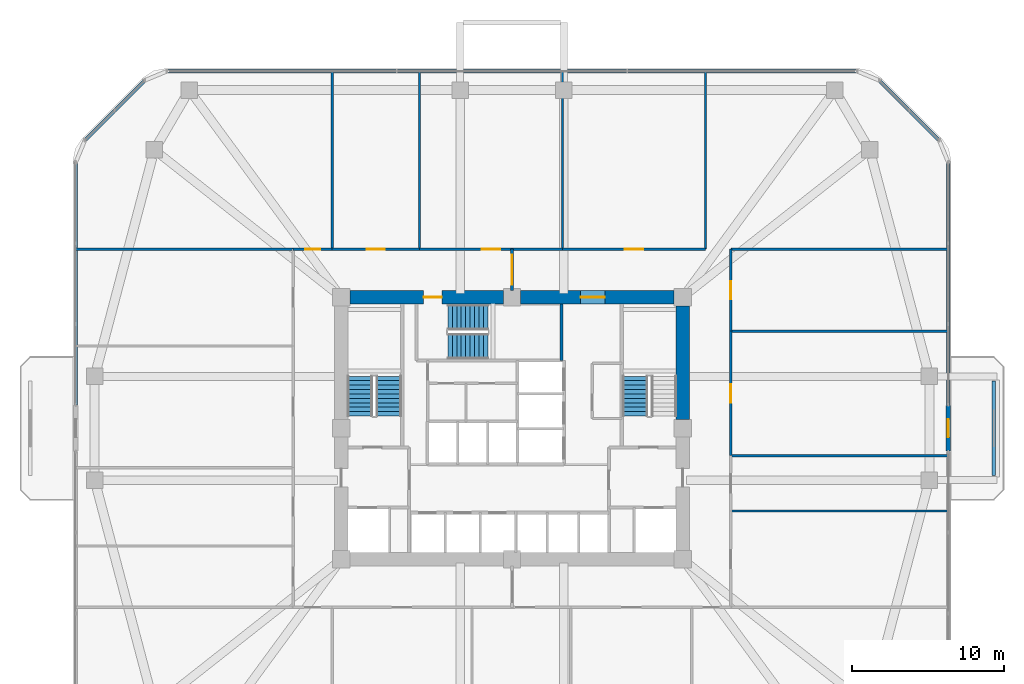
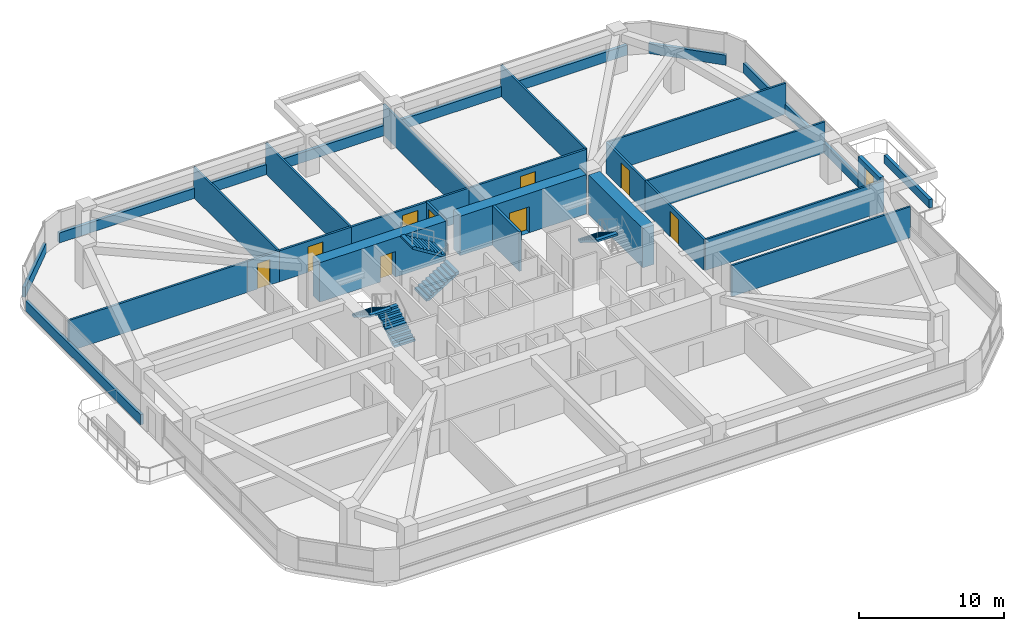
# One storey, part 12 of 15: 27 walls, 10 doors, 5 stair flights, 10 openings, 3 elements without a shape of their own.
"""IFC4 building model written with IfcOpenShell, lengths in metres."""

from ifc_helpers import new_model, si_unit, derived_unit, direction, frame, frame_2d, origin, place, context, subcontext, project, spatial, polyline, rectangle, outline, extrude, material, layer, layer_set, type_object, element, fill, aggregate, save


model = new_model("IFC4")

# Units and contexts
model_context = context("Model", 3, precision=1e-05, world=origin(), true_north=direction((0.0, 1.0)))
body_context = subcontext(model_context, "Body", "Model", "MODEL_VIEW")
ifc_project = project(units=[si_unit("LENGTHUNIT", "METRE"), si_unit("AREAUNIT", "SQUARE_METRE"), si_unit("VOLUMEUNIT", "CUBIC_METRE"), si_unit("PLANEANGLEUNIT", "RADIAN"), si_unit("MASSUNIT", "GRAM", prefix="KILO"), derived_unit("THERMALTRANSMITTANCEUNIT", [(si_unit("POWERUNIT", "WATT"), 1), (si_unit("LENGTHUNIT", "METRE"), -2), (si_unit("THERMODYNAMICTEMPERATUREUNIT", "KELVIN"), -1)])], contexts=[model_context])

# Site, building, storey
site_placement = place(None, origin())
site = spatial("IfcSite", under=ifc_project, at=site_placement, CompositionType="ELEMENT")
building_placement = place(site_placement, origin())
building = spatial("IfcBuilding", under=site, at=building_placement, Name="Koralith Skygarden Medical Center", CompositionType="ELEMENT")
storey_placement = place(building_placement, frame((0.0, 0.0, 56.340087890625)))
storey = spatial("IfcBuildingStorey", under=building, at=storey_placement, Name="L14", CompositionType="ELEMENT", Elevation=56.340087890625)

# Walls
ifc_material_1 = material(Name="Gypsum Board Partition")
ifc_layer_1 = layer(ifc_material_1, 0.14990234375)
ifc_layer_set_1 = layer_set([ifc_layer_1], Name="Gypsum Board Partition")
wall_type_1 = type_object("IfcWallType", Name="Clinical Acoustic Partition 150", PredefinedType="PARTITIONING", material=ifc_layer_set_1)
for number, where, z_axis, x_axis, name in (
    (1, (25.199951171875, 37.64990234375, 0.0), (0.0, 0.0, 1.0), (0.0, 1.0, 0.0), "L14 Clinical Acoustic Partition 150 W-PART-L14-N-01"),
    (2, (30.931884765625, 37.64990234375, 0.0), (0.0, 0.0, 1.0), (0.0, 1.0, 0.0), "L14 Clinical Acoustic Partition 150 W-PART-L14-N-02"),
    (3, (40.31005859375, 37.64990234375, 0.0), (0.0, 0.0, 1.0), (0.0, 1.0, 0.0), "L14 Clinical Acoustic Partition 150 W-PART-L14-N-03"),
    (4, (49.68701171875, 37.64990234375, 0.0), (0.0, 0.0, 1.0), (0.0, 1.0, 0.0), "L14 Clinical Acoustic Partition 150 W-PART-L14-N-04"),
):
    element("IfcWall", number, at=place(storey_placement, frame(where, z_axis=z_axis, x_axis=x_axis)), inside=storey, type_object=wall_type_1, Name=name, PredefinedType="PARTITIONING", context=body_context, shape_type="SweptSolid", body=[
        extrude(rectangle(XDim=11.650146484375, YDim=0.14990234375, at=frame_2d((5.8251953125, 0.0))), origin(), (0.0, 0.0, 1.0), 2.60986328125),
    ])
for number, where, z_axis, x_axis, name in (
    (5, (51.35009765625, 20.467041015625, 0.0), (0.0, 0.0, 1.0), (1.0, 0.0, 0.0), "L14 Clinical Acoustic Partition 150 W-PART-L14-E-01"),
    (6, (51.35009765625, 24.10009765625, 0.0), (0.0, 0.0, 1.0), (1.0, 0.0, 0.0), "L14 Clinical Acoustic Partition 150 W-PART-L14-E-02"),
    (7, (51.35009765625, 32.27294921875, 0.0), (0.0, 0.0, 1.0), (1.0, 0.0, 0.0), "L14 Clinical Acoustic Partition 150 W-PART-L14-E-03"),
):
    element("IfcWall", number, at=place(storey_placement, frame(where, z_axis=z_axis, x_axis=x_axis)), inside=storey, type_object=wall_type_1, Name=name, PredefinedType="PARTITIONING", context=body_context, shape_type="SweptSolid", body=[
        extrude(rectangle(XDim=14.25, YDim=0.14990234375, at=frame_2d((7.125, 0.0))), origin(), (0.0, 0.0, 1.0), 2.60986328125),
    ])
ifc_layer_2 = layer(ifc_material_1, 0.1650390625)
ifc_layer_set_2 = layer_set([ifc_layer_2], Name="Gypsum Board Partition")
wall_type_2 = type_object("IfcWallType", Name="Clinical Corridor Partition 165", PredefinedType="PARTITIONING", material=ifc_layer_set_2)
for number, where, z_axis, x_axis, name in (
    (8, (8.39990234375, 37.64990234375, 0.0), (0.0, 0.0, 1.0), (1.0, 0.0, 0.0), "L14 Clinical Corridor Partition 165 W-WB-L14-NW"),
    (9, (51.35009765625, 37.64990234375, 0.0), (0.0, 0.0, 1.0), (1.0, 0.0, 0.0), "L14 Clinical Corridor Partition 165 W-WB-L14-NE"),
):
    element("IfcWall", number, at=place(storey_placement, frame(where, z_axis=z_axis, x_axis=x_axis)), inside=storey, type_object=wall_type_2, Name=name, PredefinedType="PARTITIONING", context=body_context, shape_type="SweptSolid", body=[
        extrude(rectangle(XDim=14.25, YDim=0.1650390625, at=frame_2d((7.125, 0.0))), origin(), (0.0, 0.0, 1.0), 2.60986328125),
    ])

# Wall, opening, door
wall_1_placement = place(storey_placement, frame((22.64990234375, 37.64990234375, 0.0), z_axis=(0.0, 0.0, 1.0), x_axis=(1.0, 0.0, 0.0)))
wall_1 = element("IfcWall", 10, at=wall_1_placement, inside=storey, type_object=wall_type_2, Name="L14 Clinical Corridor Partition 165 W-CORR-L14-N-01", PredefinedType="PARTITIONING", context=body_context, shape_type="SweptSolid", body=[
    extrude(rectangle(XDim=2.550048828125, YDim=0.1650390625, at=frame_2d((1.27490234375, 0.0))), origin(), (0.0, 0.0, 1.0), 2.60986328125),
])
opening_1_placement = place(wall_1_placement, frame((0.77490234375, 0.0, 0.0)))
opening_1 = element("IfcOpeningElement", 11, at=opening_1_placement, cuts=wall_1, Name="Opening D-SUP", PredefinedType="OPENING", context=body_context, shape_type="SweptSolid", body=[
    extrude(rectangle(XDim=1.0, YDim=2.14990234375, at=frame_2d((0.5, 1.074951171875))), frame((0.0, 0.092529296875, 0.0), z_axis=(0.0, -1.0, 0.0), x_axis=(1.0, 0.0, 0.0)), (0.0, 0.0, 1.0), 0.18505859375),
])
ifc_material_2 = material(Name="Aluminium 6063-T6", Category="aluminium")
door_type_1 = type_object("IfcDoorType", Name="Clinical Support Door D-SUP 1000", OperationType="NOTDEFINED", PredefinedType="DOOR", material=ifc_material_2)
door_1_placement = place(opening_1_placement, origin())
door_1 = element("IfcDoor", 12, at=door_1_placement, inside=storey, type_object=door_type_1, Name="L14 Multidisciplinary Clinical Conference Room 01 Door", OperationType="SINGLE_SWING_RIGHT", OverallHeight=2.14990234375, OverallWidth=1.0, PredefinedType="DOOR", context=body_context, shape_type="SweptSolid", body=[
    extrude(rectangle(XDim=1.0, YDim=2.14990234375, at=frame_2d((0.5, 1.074951171875))), frame((0.0, 0.02490234375, 0.0), z_axis=(0.0, -1.0, 0.0), x_axis=(1.0, 0.0, 0.0)), (0.0, 0.0, 1.0), 0.050048828125),
])
fill(opening_1, door_1)

wall_2_placement = place(storey_placement, frame((25.199951171875, 37.64990234375, 0.0), z_axis=(0.0, 0.0, 1.0), x_axis=(1.0, 0.0, 0.0)))
wall_2 = element("IfcWall", 13, at=wall_2_placement, inside=storey, type_object=wall_type_2, Name="L14 Clinical Corridor Partition 165 W-CORR-L14-N-02", PredefinedType="PARTITIONING", context=body_context, shape_type="SweptSolid", body=[
    extrude(rectangle(XDim=5.73193359375, YDim=0.1650390625, at=frame_2d((2.865966796875, 0.0))), origin(), (0.0, 0.0, 1.0), 2.60986328125),
])
opening_2_placement = place(wall_2_placement, frame((2.26611328125, 0.0, 0.0)))
opening_2 = element("IfcOpeningElement", 14, at=opening_2_placement, cuts=wall_2, Name="Opening D-CLN", PredefinedType="OPENING", context=body_context, shape_type="SweptSolid", body=[
    extrude(rectangle(XDim=1.199951171875, YDim=2.14990234375, at=frame_2d((0.60009765625, 1.074951171875))), frame((0.0, 0.092529296875, 0.0), z_axis=(0.0, -1.0, 0.0), x_axis=(1.0, 0.0, 0.0)), (0.0, 0.0, 1.0), 0.18505859375),
])
door_type_2 = type_object("IfcDoorType", Name="Clinical Corridor Door D-CLN 1200", OperationType="NOTDEFINED", PredefinedType="DOOR", material=ifc_material_2)
door_2_placement = place(opening_2_placement, origin())
door_2 = element("IfcDoor", 15, at=door_2_placement, inside=storey, type_object=door_type_2, Name="L14 Phlebotomy Blood Draw Room 02 Door", OperationType="SINGLE_SWING_LEFT", OverallHeight=2.14990234375, OverallWidth=1.199951171875, PredefinedType="DOOR", context=body_context, shape_type="SweptSolid", body=[
    extrude(rectangle(XDim=1.199951171875, YDim=2.14990234375, at=frame_2d((0.60009765625, 1.074951171875))), frame((0.0, 0.02490234375, 0.0), z_axis=(0.0, -1.0, 0.0), x_axis=(1.0, 0.0, 0.0)), (0.0, 0.0, 1.0), 0.050048828125),
])
fill(opening_2, door_2)

wall_3_placement = place(storey_placement, frame((30.931884765625, 37.64990234375, 0.0), z_axis=(0.0, 0.0, 1.0), x_axis=(1.0, 0.0, 0.0)))
wall_3 = element("IfcWall", 16, at=wall_3_placement, inside=storey, type_object=wall_type_2, Name="L14 Clinical Corridor Partition 165 W-CORR-L14-N-03", PredefinedType="PARTITIONING", context=body_context, shape_type="SweptSolid", body=[
    extrude(rectangle(XDim=9.378173828125, YDim=0.1650390625, at=frame_2d((4.68896484375, 0.0))), origin(), (0.0, 0.0, 1.0), 2.60986328125),
])
opening_3_placement = place(wall_3_placement, frame((4.089111328125, 0.0, 0.0)))
opening_3 = element("IfcOpeningElement", 17, at=opening_3_placement, cuts=wall_3, Name="Opening D-CLN", PredefinedType="OPENING", context=body_context, shape_type="SweptSolid", body=[
    extrude(rectangle(XDim=1.199951171875, YDim=2.14990234375, at=frame_2d((0.60009765625, 1.074951171875))), frame((0.0, 0.092529296875, 0.0), z_axis=(0.0, -1.0, 0.0), x_axis=(1.0, 0.0, 0.0)), (0.0, 0.0, 1.0), 0.18505859375),
])
door_3_placement = place(opening_3_placement, origin())
door_3 = element("IfcDoor", 18, at=door_3_placement, inside=storey, type_object=door_type_2, Name="L14 Chemotherapy Prep Store 03 Door", OperationType="SINGLE_SWING_RIGHT", OverallHeight=2.14990234375, OverallWidth=1.199951171875, PredefinedType="DOOR", context=body_context, shape_type="SweptSolid", body=[
    extrude(rectangle(XDim=1.199951171875, YDim=2.14990234375, at=frame_2d((0.60009765625, 1.074951171875))), frame((0.0, 0.02490234375, 0.0), z_axis=(0.0, -1.0, 0.0), x_axis=(1.0, 0.0, 0.0)), (0.0, 0.0, 1.0), 0.050048828125),
])
fill(opening_3, door_3)

wall_4_placement = place(storey_placement, frame((40.31005859375, 37.64990234375, 0.0), z_axis=(0.0, 0.0, 1.0), x_axis=(1.0, 0.0, 0.0)))
wall_4 = element("IfcWall", 19, at=wall_4_placement, inside=storey, type_object=wall_type_2, Name="L14 Clinical Corridor Partition 165 W-CORR-L14-N-04", PredefinedType="PARTITIONING", context=body_context, shape_type="SweptSolid", body=[
    extrude(rectangle(XDim=9.376953125, YDim=0.1650390625, at=frame_2d((4.6884765625, 0.0))), origin(), (0.0, 0.0, 1.0), 2.60986328125),
])
opening_4_placement = place(wall_4_placement, frame((4.087890625, 0.0, 0.0)))
opening_4 = element("IfcOpeningElement", 20, at=opening_4_placement, cuts=wall_4, Name="Opening D-CLN", PredefinedType="OPENING", context=body_context, shape_type="SweptSolid", body=[
    extrude(rectangle(XDim=1.199951171875, YDim=2.14990234375, at=frame_2d((0.60009765625, 1.074951171875))), frame((0.0, 0.092529296875, 0.0), z_axis=(0.0, -1.0, 0.0), x_axis=(1.0, 0.0, 0.0)), (0.0, 0.0, 1.0), 0.18505859375),
])
door_4_placement = place(opening_4_placement, origin())
door_4 = element("IfcDoor", 21, at=door_4_placement, inside=storey, type_object=door_type_2, Name="L14 Patient Recovery Sitting Lounge 04 Door", OperationType="SINGLE_SWING_LEFT", OverallHeight=2.14990234375, OverallWidth=1.199951171875, PredefinedType="DOOR", context=body_context, shape_type="SweptSolid", body=[
    extrude(rectangle(XDim=1.199951171875, YDim=2.14990234375, at=frame_2d((0.60009765625, 1.074951171875))), frame((0.0, 0.02490234375, 0.0), z_axis=(0.0, -1.0, 0.0), x_axis=(1.0, 0.0, 0.0)), (0.0, 0.0, 1.0), 0.050048828125),
])
fill(opening_4, door_4)

wall_5_placement = place(storey_placement, frame((51.35009765625, 24.10009765625, 0.0), z_axis=(0.0, 0.0, 1.0), x_axis=(0.0, 1.0, 0.0)))
wall_5 = element("IfcWall", 22, at=wall_5_placement, inside=storey, type_object=wall_type_2, Name="L14 Clinical Corridor Partition 165 W-CORR-L14-E-03", PredefinedType="PARTITIONING", context=body_context, shape_type="SweptSolid", body=[
    extrude(rectangle(XDim=8.1728515625, YDim=0.1650390625, at=frame_2d((4.08642578125, 0.0))), origin(), (0.0, 0.0, 1.0), 2.60986328125),
])
opening_5_placement = place(wall_5_placement, frame((3.487060546875, 0.0, 0.0)))
opening_5 = element("IfcOpeningElement", 23, at=opening_5_placement, cuts=wall_5, Name="Opening D-CLN", PredefinedType="OPENING", context=body_context, shape_type="SweptSolid", body=[
    extrude(rectangle(XDim=1.199951171875, YDim=2.14990234375, at=frame_2d((0.60009765625, 1.074951171875))), frame((0.0, 0.092529296875, 0.0), z_axis=(0.0, -1.0, 0.0), x_axis=(1.0, 0.0, 0.0)), (0.0, 0.0, 1.0), 0.18505859375),
])
door_5_placement = place(opening_5_placement, origin())
door_5 = element("IfcDoor", 24, at=door_5_placement, inside=storey, type_object=door_type_2, Name="L14 Patient and Family Sky-Garden Day Lounge 16 Door", OperationType="SINGLE_SWING_LEFT", OverallHeight=2.14990234375, OverallWidth=1.199951171875, PredefinedType="DOOR", context=body_context, shape_type="SweptSolid", body=[
    extrude(rectangle(XDim=1.199951171875, YDim=2.14990234375, at=frame_2d((0.60009765625, 1.074951171875))), frame((0.0, 0.02490234375, 0.0), z_axis=(0.0, -1.0, 0.0), x_axis=(1.0, 0.0, 0.0)), (0.0, 0.0, 1.0), 0.050048828125),
])
fill(opening_5, door_5)

wall_6_placement = place(storey_placement, frame((51.35009765625, 32.27294921875, 0.0), z_axis=(0.0, 0.0, 1.0), x_axis=(0.0, 1.0, 0.0)))
wall_6 = element("IfcWall", 25, at=wall_6_placement, inside=storey, type_object=wall_type_2, Name="L14 Clinical Corridor Partition 165 W-CORR-L14-E-04", PredefinedType="PARTITIONING", context=body_context, shape_type="SweptSolid", body=[
    extrude(rectangle(XDim=5.376953125, YDim=0.1650390625, at=frame_2d((2.6884765625, 0.0))), origin(), (0.0, 0.0, 1.0), 2.60986328125),
])
opening_6_placement = place(wall_6_placement, frame((2.087890625, 0.0, 0.0)))
opening_6 = element("IfcOpeningElement", 26, at=opening_6_placement, cuts=wall_6, Name="Opening D-CLN", PredefinedType="OPENING", context=body_context, shape_type="SweptSolid", body=[
    extrude(rectangle(XDim=1.199951171875, YDim=2.14990234375, at=frame_2d((0.60009765625, 1.074951171875))), frame((0.0, 0.092529296875, 0.0), z_axis=(0.0, -1.0, 0.0), x_axis=(1.0, 0.0, 0.0)), (0.0, 0.0, 1.0), 0.18505859375),
])
door_6_placement = place(opening_6_placement, origin())
door_6 = element("IfcDoor", 27, at=door_6_placement, inside=storey, type_object=door_type_2, Name="L14 Chemotherapy Prep Store 17 Door", OperationType="SINGLE_SWING_RIGHT", OverallHeight=2.14990234375, OverallWidth=1.199951171875, PredefinedType="DOOR", context=body_context, shape_type="SweptSolid", body=[
    extrude(rectangle(XDim=1.199951171875, YDim=2.14990234375, at=frame_2d((0.60009765625, 1.074951171875))), frame((0.0, 0.02490234375, 0.0), z_axis=(0.0, -1.0, 0.0), x_axis=(1.0, 0.0, 0.0)), (0.0, 0.0, 1.0), 0.050048828125),
])
fill(opening_6, door_6)

ifc_layer_3 = layer(ifc_material_1, 0.179931640625)
ifc_layer_set_3 = layer_set([ifc_layer_3], Name="Gypsum Board Partition")
wall_type_3 = type_object("IfcWallType", Name="Group I-2 Smoke Barrier Wall 180", PredefinedType="PARTITIONING", material=ifc_layer_set_3)
wall_7_placement = place(storey_placement, frame((37.0, 34.949951171875, 0.0), z_axis=(0.0, 0.0, 1.0), x_axis=(0.0, 1.0, 0.0)))
wall_7 = element("IfcWall", 28, at=wall_7_placement, inside=storey, type_object=wall_type_3, Name="L14 Group I-2 Smoke Barrier Wall 180 W-SMK-L14-N", PredefinedType="PARTITIONING", context=body_context, shape_type="SweptSolid", body=[
    extrude(rectangle(XDim=2.699951171875, YDim=0.179931640625, at=frame_2d((1.35009765625, 0.0))), origin(), (0.0, 0.0, 1.0), 2.60986328125),
])
opening_7_placement = place(wall_7_placement, frame((0.35009765625, 0.0, 0.0)))
opening_7 = element("IfcOpeningElement", 29, at=opening_7_placement, cuts=wall_7, Name="Opening D-SMK", PredefinedType="OPENING", context=body_context, shape_type="SweptSolid", body=[
    extrude(rectangle(XDim=2.0, YDim=2.199951171875, at=frame_2d((1.0, 1.10009765625))), frame((0.0, 0.099853515625, 0.0), z_axis=(0.0, -1.0, 0.0), x_axis=(1.0, 0.0, 0.0)), (0.0, 0.0, 1.0), 0.199951171875),
])
ifc_material_3 = material(Name="Steel ASTM A500 Grade C", Category="steel")
door_type_3 = type_object("IfcDoorType", Name="Cross-Corridor Double Smoke Door FD60S 2000", OperationType="NOTDEFINED", PredefinedType="DOOR", material=ifc_material_3)
door_7_placement = place(opening_7_placement, origin())
door_7 = element("IfcDoor", 30, at=door_7_placement, inside=storey, type_object=door_type_3, Name="L14 N Smoke Compartment Cross-Corridor Door", OperationType="DOUBLE_DOOR_SINGLE_SWING", OverallHeight=2.199951171875, OverallWidth=2.0, PredefinedType="DOOR", context=body_context, shape_type="SweptSolid", body=[
    extrude(rectangle(XDim=2.0, YDim=2.199951171875, at=frame_2d((1.0, 1.10009765625))), frame((0.0, 0.02490234375, 0.0), z_axis=(0.0, -1.0, 0.0), x_axis=(1.0, 0.0, 0.0)), (0.0, 0.0, 1.0), 0.050048828125),
])
fill(opening_7, door_7)

# Walls
ifc_material_4 = material(Name="Warm Oolitic Limestone Cladding", Category="masonry")
ifc_layer_4 = layer(ifc_material_4, 0.239990234375)
ifc_layer_set_4 = layer_set([ifc_layer_4], Name="Warm Oolitic Limestone Cladding")
wall_type_4 = type_object("IfcWallType", Name="Limestone Spandrel Sill Backup Wall 240", PredefinedType="SOLIDWALL", material=ifc_layer_set_4)
wall_8_placement = place(storey_placement, frame((65.6201171875, 27.43994140625, 0.0), z_axis=(0.0, 0.0, 1.0), x_axis=(0.0, 1.0, 0.0)))
element("IfcWall", 31, at=wall_8_placement, inside=storey, type_object=wall_type_4, Name="L14 Sill Spandrel E-R", PredefinedType="SOLIDWALL", context=body_context, shape_type="SweptSolid", body=[
    extrude(rectangle(XDim=15.905029296875, YDim=0.239990234375, at=frame_2d((7.95263671875, 0.0))), origin(), (0.0, 0.0, 1.0), 0.849853515625),
])
wall_9_placement = place(storey_placement, frame((65.01904296875, 44.7958984375, 0.0), z_axis=(0.0, 0.0, 1.0), x_axis=(-0.707106781187, 0.707106781187, 0.0)))
element("IfcWall", 32, at=wall_9_placement, inside=storey, type_object=wall_type_4, Name="L14 Sill Spandrel NE", PredefinedType="SOLIDWALL", context=body_context, shape_type="SweptSolid", body=[
    extrude(rectangle(XDim=5.548095703125, YDim=0.239990234375, at=frame_2d((2.77392578125, 0.0))), origin(), (0.0, 0.0, 1.0), 0.849853515625),
])
wall_10_placement = place(storey_placement, frame((59.64501953125, 49.320068359375, 0.0), z_axis=(0.0, 0.0, 1.0), x_axis=(-1.0, 0.0, 0.0)))
element("IfcWall", 33, at=wall_10_placement, inside=storey, type_object=wall_type_4, Name="L14 Sill Spandrel N", PredefinedType="SOLIDWALL", context=body_context, shape_type="SweptSolid", body=[
    extrude(rectangle(XDim=45.2900390625, YDim=0.239990234375, at=frame_2d((22.64501953125, 0.0))), origin(), (0.0, 0.0, 1.0), 0.849853515625),
])
wall_11_placement = place(storey_placement, frame((12.904052734375, 48.718994140625, 0.0), z_axis=(0.0, 0.0, 1.0), x_axis=(-0.707106781187, -0.707106781187, 0.0)))
element("IfcWall", 34, at=wall_11_placement, inside=storey, type_object=wall_type_4, Name="L14 Sill Spandrel NW", PredefinedType="SOLIDWALL", context=body_context, shape_type="SweptSolid", body=[
    extrude(rectangle(XDim=5.548095703125, YDim=0.239990234375, at=frame_2d((2.77392578125, 0.0))), origin(), (0.0, 0.0, 1.0), 0.849853515625),
])
wall_12_placement = place(storey_placement, frame((8.3798828125, 43.344970703125, 0.0), z_axis=(0.0, 0.0, 1.0), x_axis=(0.0, -1.0, 0.0)))
element("IfcWall", 35, at=wall_12_placement, inside=storey, type_object=wall_type_4, Name="L14 Sill Spandrel W-L", PredefinedType="SOLIDWALL", context=body_context, shape_type="SweptSolid", body=[
    extrude(rectangle(XDim=15.905029296875, YDim=0.239990234375, at=frame_2d((7.95263671875, 0.0))), origin(), (0.0, 0.0, 1.0), 0.849853515625),
])
ifc_material_5 = material(Name="Concrete C70/85", Category="concrete")
ifc_layer_5 = layer(ifc_material_5, 0.89990234375)
ifc_layer_set_5 = layer_set([ifc_layer_5], Name="Concrete C70/85")
wall_type_5 = type_object("IfcWallType", Name="Lower Core Shear Wall 900", PredefinedType="SHEAR", material=ifc_layer_set_5)
wall_13_placement = place(storey_placement, frame((48.199951171875, 26.465087890625, 0.0), z_axis=(0.0, 0.0, 1.0), x_axis=(0.0, 1.0, 0.0)))
element("IfcWall", 36, at=wall_13_placement, inside=storey, type_object=wall_type_5, Name="L14 Core Shear Wall Segment 4", PredefinedType="SHEAR", context=body_context, shape_type="SweptSolid", body=[
    extrude(rectangle(XDim=7.469970703125, YDim=0.89990234375, at=frame_2d((3.73486328125, 0.0))), origin(), (0.0, 0.0, 1.0), 3.31982421875),
])

# Wall, opening, door
wall_14_placement = place(storey_placement, frame((47.635009765625, 34.5, 0.0), z_axis=(0.0, 0.0, 1.0), x_axis=(-1.0, 0.0, 0.0)))
wall_14 = element("IfcWall", 37, at=wall_14_placement, inside=storey, type_object=wall_type_5, Name="L14 Core Shear Wall Segment 5", PredefinedType="SHEAR", context=body_context, shape_type="SweptSolid", body=[
    extrude(rectangle(XDim=10.070068359375, YDim=0.89990234375, at=frame_2d((5.03515625, 0.0))), origin(), (0.0, 0.0, 1.0), 3.31982421875),
])
opening_8_placement = place(wall_14_placement, frame((4.534912109375, 0.0, 0.0)))
opening_8 = element("IfcOpeningElement", 38, at=opening_8_placement, cuts=wall_14, Name="Opening D-DBL", PredefinedType="OPENING", context=body_context, shape_type="SweptSolid", body=[
    extrude(rectangle(XDim=1.60009765625, YDim=2.199951171875, at=frame_2d((0.800048828125, 1.10009765625))), frame((0.0, 0.4599609375, 0.0), z_axis=(0.0, -1.0, 0.0), x_axis=(1.0, 0.0, 0.0)), (0.0, 0.0, 1.0), 0.919921875),
])
door_type_4 = type_object("IfcDoorType", Name="Double Clinical Suite Door D-DBL 1600", OperationType="NOTDEFINED", PredefinedType="DOOR", material=ifc_material_2)
door_8_placement = place(opening_8_placement, frame((1.60009765625, 0.0, 0.0), z_axis=(0.0, 0.0, 1.0), x_axis=(-1.0, 0.0, 0.0)))
door_8 = element("IfcDoor", 39, at=door_8_placement, inside=storey, type_object=door_type_4, Name="L14 North-East Corridor to Elevator Lobby Door", OperationType="DOUBLE_DOOR_SINGLE_SWING", OverallHeight=2.199951171875, OverallWidth=1.60009765625, PredefinedType="DOOR", context=body_context, shape_type="SweptSolid", body=[
    extrude(rectangle(XDim=1.60009765625, YDim=2.199951171875, at=frame_2d((0.800048828125, 1.10009765625))), frame((0.0, 0.02490234375, 0.0), z_axis=(0.0, -1.0, 0.0), x_axis=(1.0, 0.0, 0.0)), (0.0, 0.0, 1.0), 0.050048828125),
])
fill(opening_8, door_8)

wall_15_placement = place(storey_placement, frame((36.43505859375, 34.5, 0.0), z_axis=(0.0, 0.0, 1.0), x_axis=(-1.0, 0.0, 0.0)))
wall_15 = element("IfcWall", 40, at=wall_15_placement, inside=storey, type_object=wall_type_5, Name="L14 Core Shear Wall Segment 6", PredefinedType="SHEAR", context=body_context, shape_type="SweptSolid", body=[
    extrude(rectangle(XDim=10.070068359375, YDim=0.89990234375, at=frame_2d((5.03515625, 0.0))), origin(), (0.0, 0.0, 1.0), 3.31982421875),
])
opening_9_placement = place(wall_15_placement, frame((4.034912109375, 0.0, 0.0)))
opening_9 = element("IfcOpeningElement", 41, at=opening_9_placement, cuts=wall_15, Name="Opening D-ST60", PredefinedType="OPENING", context=body_context, shape_type="SweptSolid", body=[
    extrude(rectangle(XDim=1.199951171875, YDim=2.14990234375, at=frame_2d((0.60009765625, 1.074951171875))), frame((0.0, 0.4599609375, 0.0), z_axis=(0.0, -1.0, 0.0), x_axis=(1.0, 0.0, 0.0)), (0.0, 0.0, 1.0), 0.919921875),
])
door_type_5 = type_object("IfcDoorType", Name="Smokeproof Stair Fire Door FD60S 1200", OperationType="NOTDEFINED", PredefinedType="DOOR", material=ifc_material_3)
door_9_placement = place(opening_9_placement, frame((1.199951171875, 0.0, 0.0), z_axis=(0.0, 0.0, 1.0), x_axis=(-1.0, 0.0, 0.0)))
door_9 = element("IfcDoor", 42, at=door_9_placement, inside=storey, type_object=door_type_5, Name="L14 Exit Stair ST3 Fire Door", OperationType="SINGLE_SWING_LEFT", OverallHeight=2.14990234375, OverallWidth=1.199951171875, PredefinedType="DOOR", context=body_context, shape_type="SweptSolid", body=[
    extrude(rectangle(XDim=1.199951171875, YDim=2.14990234375, at=frame_2d((0.60009765625, 1.074951171875))), frame((0.0, 0.02490234375, 0.0), z_axis=(0.0, -1.0, 0.0), x_axis=(1.0, 0.0, 0.0)), (0.0, 0.0, 1.0), 0.050048828125),
])
fill(opening_9, door_9)

ifc_layer_6 = layer(ifc_material_4, 0.300048828125)
ifc_layer_set_6 = layer_set([ifc_layer_6], Name="Warm Oolitic Limestone Cladding")
wall_type_6 = type_object("IfcWallType", Name="Oolitic Limestone Insulated Facade Wall 300", PredefinedType="SOLIDWALL", material=ifc_layer_set_6)
wall_16_placement = place(storey_placement, frame((65.6201171875, 24.39990234375, 0.0), z_axis=(0.0, 0.0, 1.0), x_axis=(0.0, 1.0, 0.0)))
wall_16 = element("IfcWall", 43, at=wall_16_placement, inside=storey, type_object=wall_type_6, Name="L14 Terrace Portal Wall E", PredefinedType="SOLIDWALL", context=body_context, shape_type="SweptSolid", body=[
    extrude(rectangle(XDim=3.0, YDim=0.300048828125, at=frame_2d((1.5, 0.0))), origin(), (0.0, 0.0, 1.0), 2.64990234375),
])
opening_10_placement = place(wall_16_placement, frame((0.89990234375, 0.0, 0.0)))
opening_10 = element("IfcOpeningElement", 44, at=opening_10_placement, cuts=wall_16, Name="Opening D-BAL", PredefinedType="OPENING", context=body_context, shape_type="SweptSolid", body=[
    extrude(rectangle(XDim=1.199951171875, YDim=2.199951171875, at=frame_2d((0.60009765625, 1.10009765625))), frame((0.0, 0.159912109375, 0.0), z_axis=(0.0, -1.0, 0.0), x_axis=(1.0, 0.0, 0.0)), (0.0, 0.0, 1.0), 0.320068359375),
])
door_type_6 = type_object("IfcDoorType", Name="Planted Balcony Glazed Terrace Door D-BAL 1200", OperationType="NOTDEFINED", PredefinedType="DOOR", material=ifc_material_2)
door_10_placement = place(opening_10_placement, origin())
door_10 = element("IfcDoor", 45, at=door_10_placement, inside=storey, type_object=door_type_6, Name="L14 E Outdoor Terrace Access Door", OperationType="SINGLE_SWING_LEFT", OverallHeight=2.199951171875, OverallWidth=1.199951171875, PredefinedType="DOOR", context=body_context, shape_type="SweptSolid", body=[
    extrude(rectangle(XDim=1.199951171875, YDim=2.199951171875, at=frame_2d((0.60009765625, 1.10009765625))), frame((0.0, 0.02490234375, 0.0), z_axis=(0.0, -1.0, 0.0), x_axis=(1.0, 0.0, 0.0)), (0.0, 0.0, 1.0), 0.050048828125),
])
fill(opening_10, door_10)

# Walls
ifc_material_6 = material(Name="Precast concrete C40/50", Category="concrete")
ifc_layer_7 = layer(ifc_material_6, 0.25)
ifc_layer_set_7 = layer_set([ifc_layer_7], Name="Precast concrete C40/50")
wall_type_7 = type_object("IfcWallType", Name="Structural Concrete Balcony Planter Kerb 250", PredefinedType="PARAPET", material=ifc_layer_set_7)
wall_17_placement = place(storey_placement, frame((68.60009765625, 22.800048828125, 0.0), z_axis=(0.0, 0.0, 1.0), x_axis=(0.0, 1.0, 0.0)))
element("IfcWall", 46, at=wall_17_placement, inside=storey, type_object=wall_type_7, Name="L14 E Structural Tree PLANTER Box", PredefinedType="PARAPET", context=body_context, shape_type="SweptSolid", body=[
    extrude(rectangle(XDim=6.199951171875, YDim=0.25, at=frame_2d((3.10009765625, 0.0))), origin(), (0.0, 0.0, 1.0), 0.719970703125),
])
ifc_material_7 = material(Name="Concrete C45/55", Category="concrete")
ifc_layer_8 = layer(ifc_material_7, 0.199951171875)
ifc_layer_set_8 = layer_set([ifc_layer_8], Name="Concrete C45/55")
wall_type_8 = type_object("IfcWallType", Name="Structural Stair Shaft Wall 200", PredefinedType="SHEAR", material=ifc_layer_set_8)
wall_18_placement = place(storey_placement, frame((40.25, 30.360107421875, 0.0), z_axis=(0.0, 0.0, 1.0), x_axis=(0.0, 1.0, 0.0)))
element("IfcWall", 47, at=wall_18_placement, inside=storey, type_object=wall_type_8, Name="L14 Structural Stair Shaft Wall 200 W-CORE-L14-ST3-E", PredefinedType="SHEAR", context=body_context, shape_type="SweptSolid", body=[
    extrude(rectangle(XDim=3.68994140625, YDim=0.199951171875, at=frame_2d((1.844970703125, 0.0))), origin(), (0.0, 0.0, 1.0), 3.31982421875),
])

# Stair, stair flights
stair_type = type_object("IfcStairType", Name="Core Exit Dogleg Concrete Stair", PredefinedType="HALF_TURN_STAIR", material=ifc_material_7)
stair_1_placement = place(storey_placement, origin())
stair_1 = element("IfcStair", 48, at=stair_1_placement, inside=storey, type_object=stair_type, Name="L14 Smokeproof Exit Stair ST1", PredefinedType="HALF_TURN_STAIR")
stair_flight_type = type_object("IfcStairFlightType", Name="Core Exit Concrete Stair Flight 1650", PredefinedType="STRAIGHT", material=ifc_material_7)
stair_flight_1_placement = place(storey_placement, frame((28.925048828125, 26.699951171875, 0.0), z_axis=(0.0, 0.0, 1.0), x_axis=(0.0, 1.0, 0.0)))
stair_flight_1 = element("IfcStairFlight", 49, at=stair_flight_1_placement, type_object=stair_flight_type, Name="ST1 flight 1", NumberOfRisers=10, NumberOfTreads=9, PredefinedType="STRAIGHT", RiserHeight=0.18, TreadLength=0.29, context=body_context, shape_type="SweptSolid", body=[
    extrude(outline(polyline([(0.0, 0.0), (0.0, 0.179931640625), (0.2900390625, 0.179931640625), (0.2900390625, 0.360107421875), (0.580078125, 0.360107421875), (0.580078125, 0.5400390625), (0.8701171875, 0.5400390625), (0.8701171875, 0.719970703125), (1.159912109375, 0.719970703125), (1.159912109375, 0.89990234375), (1.449951171875, 0.89990234375), (1.449951171875, 1.080078125), (1.739990234375, 1.080078125), (1.739990234375, 1.260009765625), (2.030029296875, 1.260009765625), (2.030029296875, 1.43994140625), (2.320068359375, 1.43994140625), (2.320068359375, 1.6201171875), (2.610107421875, 1.6201171875), (2.610107421875, 1.800048828125), (2.610107421875, 1.443603515625), (0.2841796875, 0.0), (0.0, 0.0)])), frame((0.0, 0.824951171875, 0.0), z_axis=(0.0, -1.0, 0.0), x_axis=(1.0, 0.0, 0.0)), (0.0, 0.0, 1.0), 1.64990234375),
])
stair_flight_2_placement = place(storey_placement, frame((27.02490234375, 29.31005859375, 1.7998046875), z_axis=(0.0, 0.0, 1.0), x_axis=(0.0, -1.0, 0.0)))
stair_flight_2 = element("IfcStairFlight", 50, at=stair_flight_2_placement, type_object=stair_flight_type, Name="ST1 flight 2", NumberOfRisers=10, NumberOfTreads=9, PredefinedType="STRAIGHT", RiserHeight=0.18, TreadLength=0.29, context=body_context, shape_type="SweptSolid", body=[
    extrude(outline(polyline([(0.0, 0.0), (0.0, 0.179931640625), (0.2900390625, 0.179931640625), (0.2900390625, 0.360107421875), (0.580078125, 0.360107421875), (0.580078125, 0.5400390625), (0.8701171875, 0.5400390625), (0.8701171875, 0.719970703125), (1.159912109375, 0.719970703125), (1.159912109375, 0.89990234375), (1.449951171875, 0.89990234375), (1.449951171875, 1.080078125), (1.739990234375, 1.080078125), (1.739990234375, 1.260009765625), (2.030029296875, 1.260009765625), (2.030029296875, 1.43994140625), (2.320068359375, 1.43994140625), (2.320068359375, 1.6201171875), (2.610107421875, 1.6201171875), (2.610107421875, 1.800048828125), (2.610107421875, 1.443603515625), (0.2841796875, 0.0), (0.0, 0.0)])), frame((0.0, 0.824951171875, 0.0), z_axis=(0.0, -1.0, 0.0), x_axis=(1.0, 0.0, 0.0)), (0.0, 0.0, 1.0), 1.64990234375),
])
aggregate(stair_1, [stair_flight_1, stair_flight_2])

# Stair, stair flight
stair_2_placement = place(storey_placement, origin())
stair_2 = element("IfcStair", 51, at=stair_2_placement, inside=storey, type_object=stair_type, Name="L14 Smokeproof Exit Stair ST2", PredefinedType="HALF_TURN_STAIR")
stair_flight_3_placement = place(storey_placement, frame((45.074951171875, 29.31005859375, 1.7998046875), z_axis=(0.0, 0.0, 1.0), x_axis=(0.0, -1.0, 0.0)))
stair_flight_3 = element("IfcStairFlight", 52, at=stair_flight_3_placement, type_object=stair_flight_type, Name="ST2 flight 2", NumberOfRisers=10, NumberOfTreads=9, PredefinedType="STRAIGHT", RiserHeight=0.18, TreadLength=0.29, context=body_context, shape_type="SweptSolid", body=[
    extrude(outline(polyline([(0.0, 0.0), (0.0, 0.179931640625), (0.2900390625, 0.179931640625), (0.2900390625, 0.360107421875), (0.580078125, 0.360107421875), (0.580078125, 0.5400390625), (0.8701171875, 0.5400390625), (0.8701171875, 0.719970703125), (1.159912109375, 0.719970703125), (1.159912109375, 0.89990234375), (1.449951171875, 0.89990234375), (1.449951171875, 1.080078125), (1.739990234375, 1.080078125), (1.739990234375, 1.260009765625), (2.030029296875, 1.260009765625), (2.030029296875, 1.43994140625), (2.320068359375, 1.43994140625), (2.320068359375, 1.6201171875), (2.610107421875, 1.6201171875), (2.610107421875, 1.800048828125), (2.610107421875, 1.443603515625), (0.2841796875, 0.0), (0.0, 0.0)])), frame((0.0, 0.824951171875, 0.0), z_axis=(0.0, -1.0, 0.0), x_axis=(1.0, 0.0, 0.0)), (0.0, 0.0, 1.0), 1.64990234375),
])
aggregate(stair_2, [stair_flight_3])

# Stair, stair flights
stair_3_placement = place(storey_placement, origin())
stair_3 = element("IfcStair", 53, at=stair_3_placement, inside=storey, type_object=stair_type, Name="L14 Smokeproof Exit Stair ST3", PredefinedType="HALF_TURN_STAIR")
stair_flight_4_placement = place(storey_placement, frame((32.800048828125, 31.27490234375, 0.0), z_axis=(0.0, 0.0, 1.0), x_axis=(1.0, 0.0, 0.0)))
stair_flight_4 = element("IfcStairFlight", 54, at=stair_flight_4_placement, type_object=stair_flight_type, Name="ST3 flight 1", NumberOfRisers=10, NumberOfTreads=9, PredefinedType="STRAIGHT", RiserHeight=0.18, TreadLength=0.29, context=body_context, shape_type="SweptSolid", body=[
    extrude(outline(polyline([(0.0, 0.0), (0.0, 0.179931640625), (0.2900390625, 0.179931640625), (0.2900390625, 0.360107421875), (0.580078125, 0.360107421875), (0.580078125, 0.5400390625), (0.8701171875, 0.5400390625), (0.8701171875, 0.719970703125), (1.159912109375, 0.719970703125), (1.159912109375, 0.89990234375), (1.449951171875, 0.89990234375), (1.449951171875, 1.080078125), (1.739990234375, 1.080078125), (1.739990234375, 1.260009765625), (2.030029296875, 1.260009765625), (2.030029296875, 1.43994140625), (2.320068359375, 1.43994140625), (2.320068359375, 1.6201171875), (2.610107421875, 1.6201171875), (2.610107421875, 1.800048828125), (2.610107421875, 1.443603515625), (0.2841796875, 0.0), (0.0, 0.0)])), frame((0.0, 0.824951171875, 0.0), z_axis=(0.0, -1.0, 0.0), x_axis=(1.0, 0.0, 0.0)), (0.0, 0.0, 1.0), 1.64990234375),
])
stair_flight_5_placement = place(storey_placement, frame((35.409912109375, 33.175048828125, 1.7998046875), z_axis=(0.0, 0.0, 1.0), x_axis=(-1.0, 0.0, 0.0)))
stair_flight_5 = element("IfcStairFlight", 55, at=stair_flight_5_placement, type_object=stair_flight_type, Name="ST3 flight 2", NumberOfRisers=10, NumberOfTreads=9, PredefinedType="STRAIGHT", RiserHeight=0.18, TreadLength=0.29, context=body_context, shape_type="SweptSolid", body=[
    extrude(outline(polyline([(0.0, 0.0), (0.0, 0.179931640625), (0.2900390625, 0.179931640625), (0.2900390625, 0.360107421875), (0.580078125, 0.360107421875), (0.580078125, 0.5400390625), (0.8701171875, 0.5400390625), (0.8701171875, 0.719970703125), (1.159912109375, 0.719970703125), (1.159912109375, 0.89990234375), (1.449951171875, 0.89990234375), (1.449951171875, 1.080078125), (1.739990234375, 1.080078125), (1.739990234375, 1.260009765625), (2.030029296875, 1.260009765625), (2.030029296875, 1.43994140625), (2.320068359375, 1.43994140625), (2.320068359375, 1.6201171875), (2.610107421875, 1.6201171875), (2.610107421875, 1.800048828125), (2.610107421875, 1.443603515625), (0.2841796875, 0.0), (0.0, 0.0)])), frame((0.0, 0.824951171875, 0.0), z_axis=(0.0, -1.0, 0.0), x_axis=(1.0, 0.0, 0.0)), (0.0, 0.0, 1.0), 1.64990234375),
])
aggregate(stair_3, [stair_flight_4, stair_flight_5])

save(model, "model.ifc")
